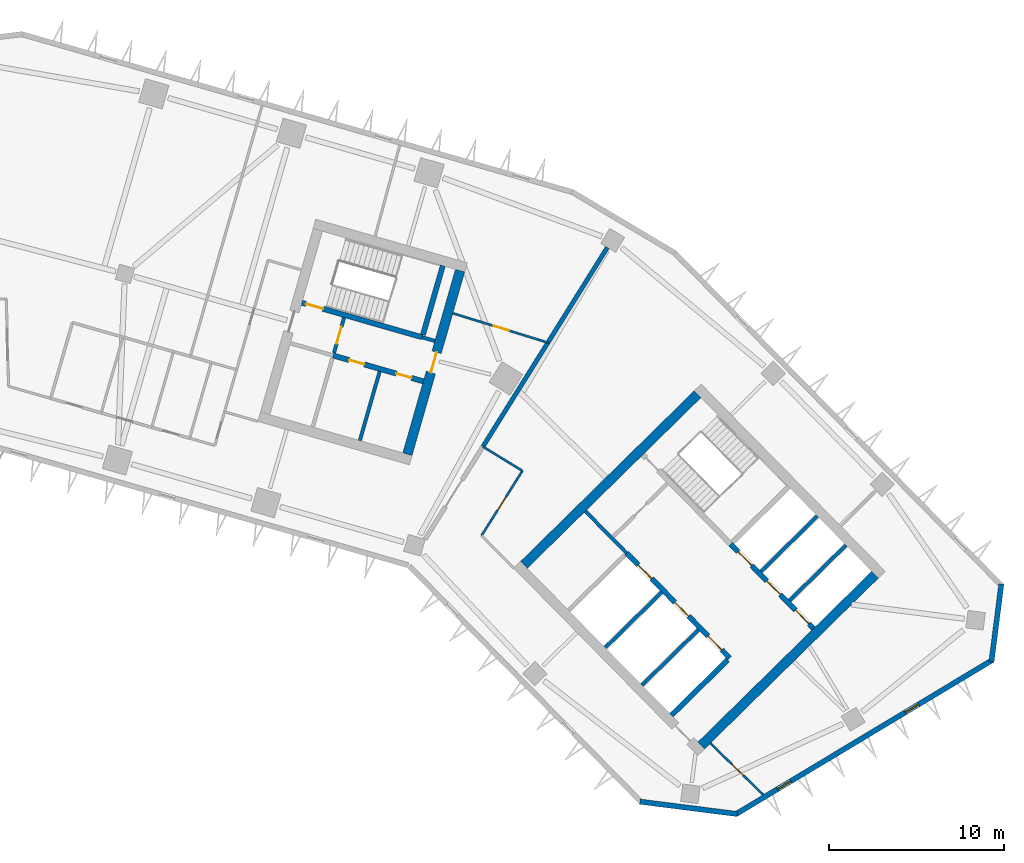
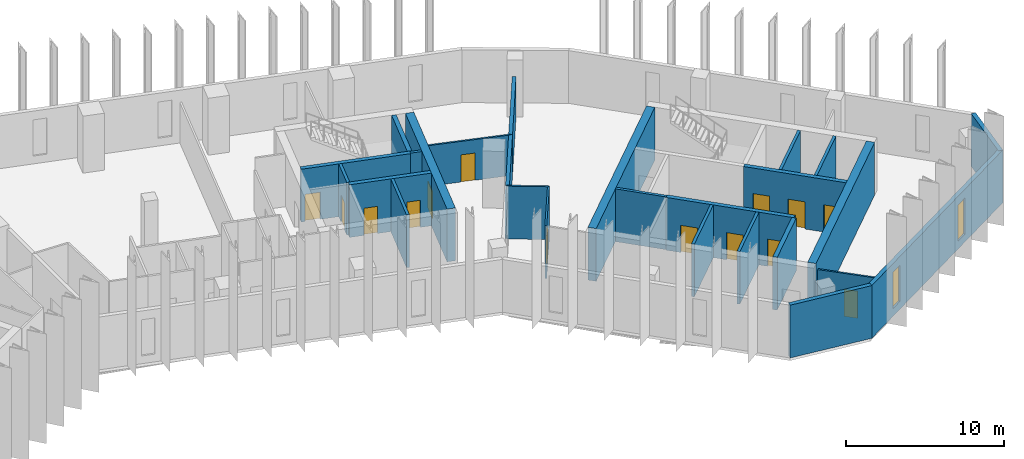
# One storey, part 6 of 11: 26 walls, 14 doors, 2 windows, 16 openings.
"""IFC4 building model written with IfcOpenShell, lengths in metres."""

from ifc_helpers import new_model, si_unit, direction, frame, frame_2d, origin, place, context, subcontext, project, spatial, rectangle, extrude, material, layer, layer_set, type_object, element, fill, save


model = new_model("IFC4")

# Units and contexts
model_context = context("Model", 3, precision=1e-05, world=origin(), true_north=direction((0.0, 1.0)))
body_context = subcontext(model_context, "Body", "Model", "MODEL_VIEW")
ifc_project = project(units=[si_unit("LENGTHUNIT", "METRE"), si_unit("AREAUNIT", "SQUARE_METRE"), si_unit("VOLUMEUNIT", "CUBIC_METRE"), si_unit("PLANEANGLEUNIT", "RADIAN"), si_unit("MASSUNIT", "GRAM", prefix="KILO")], contexts=[model_context])

# Site, building, storey
site_placement = place(None, origin())
site = spatial("IfcSite", under=ifc_project, at=site_placement, CompositionType="ELEMENT")
building_placement = place(site_placement, origin())
building = spatial("IfcBuilding", under=site, at=building_placement, Name="Binnacle Exchange Tower", CompositionType="ELEMENT")
storey_placement = place(building_placement, frame((0.0, 0.0, 97.10009765625)))
storey = spatial("IfcBuildingStorey", under=building, at=storey_placement, Name="L19", CompositionType="ELEMENT", Elevation=97.10009765625)

# Wall
ifc_material_1 = material(Name="Gypsum partition fire rated")
ifc_layer_1 = layer(ifc_material_1, 0.199951171875)
ifc_layer_set_1 = layer_set([ifc_layer_1], Name="Core partition 200")
wall_type_1 = type_object("IfcWallType", Name="Core partition 200", PredefinedType="PARTITIONING", material=ifc_layer_set_1)
wall_1_placement = place(storey_placement, frame((22.65087890625, 47.835205078125, 0.0), z_axis=(0.0, 0.0, 1.0), x_axis=(0.275625388668, 0.961265127383, 0.0)))
element("IfcWall", 1, at=wall_1_placement, inside=storey, type_object=wall_type_1, Name="Core wall CRWD10", PredefinedType="PARTITIONING", context=body_context, shape_type="SweptSolid", body=[
    extrude(rectangle(XDim=4.100341796875, YDim=0.199951171875, at=frame_2d((2.05029296875, 0.0))), origin(), (0.0, 0.0, 1.0), 4.079833984375),
])

# Wall, openings, doors
ifc_material_2 = material(Name="Concrete C70/85", Category="concrete")
ifc_layer_2 = layer(ifc_material_2, 0.300048828125)
ifc_layer_set_2 = layer_set([ifc_layer_2], Name="Core wall - front 300")
wall_type_2 = type_object("IfcWallType", Name="Core wall - front 300", PredefinedType="SOLIDWALL", material=ifc_layer_set_2)
wall_2_placement = place(storey_placement, frame((37.8740234375, 41.41552734375, 0.0), z_axis=(0.0, 0.0, 1.0), x_axis=(0.700918271237, -0.71324159795, 0.0)))
wall_2 = element("IfcWall", 2, at=wall_2_placement, inside=storey, type_object=wall_type_2, Name="Core wall CRWB3", PredefinedType="SOLIDWALL", context=body_context, shape_type="SweptSolid", body=[
    extrude(rectangle(XDim=8.39990234375, YDim=0.300048828125, at=frame_2d((4.199951171875, 0.0))), origin(), (0.0, 0.0, 1.0), 4.079833984375),
])
opening_1_placement = place(wall_2_placement, frame((0.949951171875, 0.0, 0.0)))
opening_1 = element("IfcOpeningElement", 3, at=opening_1_placement, cuts=wall_2, Name="Opening LD15", PredefinedType="OPENING", context=body_context, shape_type="SweptSolid", body=[
    extrude(rectangle(XDim=1.10009765625, YDim=2.10009765625, at=frame_2d((0.550048828125, 1.050048828125))), frame((0.0, 0.159912109375, 0.0), z_axis=(0.0, -1.0, 0.0), x_axis=(1.0, 0.0, 0.0)), (0.0, 0.0, 1.0), 0.320068359375),
])
opening_2_placement = place(wall_2_placement, frame((3.949951171875, 0.0, 0.0)))
opening_2 = element("IfcOpeningElement", 4, at=opening_2_placement, cuts=wall_2, Name="Opening LD16", PredefinedType="OPENING", context=body_context, shape_type="SweptSolid", body=[
    extrude(rectangle(XDim=1.10009765625, YDim=2.10009765625, at=frame_2d((0.550048828125, 1.050048828125))), frame((0.0, 0.159912109375, 0.0), z_axis=(0.0, -1.0, 0.0), x_axis=(1.0, 0.0, 0.0)), (0.0, 0.0, 1.0), 0.320068359375),
])
opening_3_placement = place(wall_2_placement, frame((6.64990234375, 0.0, 0.0)))
opening_3 = element("IfcOpeningElement", 5, at=opening_3_placement, cuts=wall_2, Name="Opening LD4", PredefinedType="OPENING", context=body_context, shape_type="SweptSolid", body=[
    extrude(rectangle(XDim=1.10009765625, YDim=2.10009765625, at=frame_2d((0.550048828125, 1.050048828125))), frame((0.0, 0.159912109375, 0.0), z_axis=(0.0, -1.0, 0.0), x_axis=(1.0, 0.0, 0.0)), (0.0, 0.0, 1.0), 0.320068359375),
])
ifc_material_3 = material(Name="Steel door leaf", Category="steel")
door_type_1 = type_object("IfcDoorType", Name="Fire door - lift landing 1100", OperationType="NOTDEFINED", PredefinedType="DOOR", material=ifc_material_3)
door_1_placement = place(opening_1_placement, origin())
door_1 = element("IfcDoor", 6, at=door_1_placement, inside=storey, type_object=door_type_1, Name="Landing door LD15 L19", OperationType="DOUBLE_DOOR_SLIDING", OverallHeight=2.10009765625, OverallWidth=1.10009765625, PredefinedType="DOOR", context=body_context, shape_type="SweptSolid", body=[
    extrude(rectangle(XDim=1.10009765625, YDim=2.10009765625, at=frame_2d((0.550048828125, 1.050048828125))), frame((0.0, 0.02490234375, 0.0), z_axis=(0.0, -1.0, 0.0), x_axis=(1.0, 0.0, 0.0)), (0.0, 0.0, 1.0), 0.050048828125),
])
fill(opening_1, door_1)
door_2_placement = place(opening_2_placement, origin())
door_2 = element("IfcDoor", 7, at=door_2_placement, inside=storey, type_object=door_type_1, Name="Landing door LD16 L19", OperationType="DOUBLE_DOOR_SLIDING", OverallHeight=2.10009765625, OverallWidth=1.10009765625, PredefinedType="DOOR", context=body_context, shape_type="SweptSolid", body=[
    extrude(rectangle(XDim=1.10009765625, YDim=2.10009765625, at=frame_2d((0.550048828125, 1.050048828125))), frame((0.0, 0.02490234375, 0.0), z_axis=(0.0, -1.0, 0.0), x_axis=(1.0, 0.0, 0.0)), (0.0, 0.0, 1.0), 0.050048828125),
])
fill(opening_2, door_2)
door_3_placement = place(opening_3_placement, origin())
door_3 = element("IfcDoor", 8, at=door_3_placement, inside=storey, type_object=door_type_1, Name="Landing door LD4 L19", OperationType="DOUBLE_DOOR_SLIDING", OverallHeight=2.10009765625, OverallWidth=1.10009765625, PredefinedType="DOOR", context=body_context, shape_type="SweptSolid", body=[
    extrude(rectangle(XDim=1.10009765625, YDim=2.10009765625, at=frame_2d((0.550048828125, 1.050048828125))), frame((0.0, 0.02490234375, 0.0), z_axis=(0.0, -1.0, 0.0), x_axis=(1.0, 0.0, 0.0)), (0.0, 0.0, 1.0), 0.050048828125),
])
fill(opening_3, door_3)

wall_3_placement = place(storey_placement, frame((43.818603515625, 41.92919921875, 0.0), z_axis=(0.0, 0.0, 1.0), x_axis=(0.700931209592, -0.713228882912, 0.0)))
wall_3 = element("IfcWall", 9, at=wall_3_placement, inside=storey, type_object=wall_type_2, Name="Core wall CRWB5", PredefinedType="SOLIDWALL", context=body_context, shape_type="SweptSolid", body=[
    extrude(rectangle(XDim=6.75, YDim=0.300048828125, at=frame_2d((3.375, 0.0))), origin(), (0.0, 0.0, 1.0), 4.079833984375),
])
opening_4_placement = place(wall_3_placement, frame((0.614990234375, 0.0, 0.0)))
opening_4 = element("IfcOpeningElement", 10, at=opening_4_placement, cuts=wall_3, Name="Opening LD1", PredefinedType="OPENING", context=body_context, shape_type="SweptSolid", body=[
    extrude(rectangle(XDim=1.10009765625, YDim=2.10009765625, at=frame_2d((0.550048828125, 1.050048828125))), frame((0.0, 0.159912109375, 0.0), z_axis=(0.0, -1.0, 0.0), x_axis=(1.0, 0.0, 0.0)), (0.0, 0.0, 1.0), 0.320068359375),
])
opening_5_placement = place(wall_3_placement, frame((2.945068359375, 0.0, 0.0)))
opening_5 = element("IfcOpeningElement", 11, at=opening_5_placement, cuts=wall_3, Name="Opening LD2", PredefinedType="OPENING", context=body_context, shape_type="SweptSolid", body=[
    extrude(rectangle(XDim=1.10009765625, YDim=2.10009765625, at=frame_2d((0.550048828125, 1.050048828125))), frame((0.0, 0.159912109375, 0.0), z_axis=(0.0, -1.0, 0.0), x_axis=(1.0, 0.0, 0.0)), (0.0, 0.0, 1.0), 0.320068359375),
])
opening_6_placement = place(wall_3_placement, frame((5.280029296875, 0.0, 0.0)))
opening_6 = element("IfcOpeningElement", 12, at=opening_6_placement, cuts=wall_3, Name="Opening LD3", PredefinedType="OPENING", context=body_context, shape_type="SweptSolid", body=[
    extrude(rectangle(XDim=1.10009765625, YDim=2.10009765625, at=frame_2d((0.550048828125, 1.050048828125))), frame((0.0, 0.159912109375, 0.0), z_axis=(0.0, -1.0, 0.0), x_axis=(1.0, 0.0, 0.0)), (0.0, 0.0, 1.0), 0.320068359375),
])
door_4_placement = place(opening_4_placement, origin())
door_4 = element("IfcDoor", 13, at=door_4_placement, inside=storey, type_object=door_type_1, Name="Landing door LD1 L19", OperationType="DOUBLE_DOOR_SLIDING", OverallHeight=2.10009765625, OverallWidth=1.10009765625, PredefinedType="DOOR", context=body_context, shape_type="SweptSolid", body=[
    extrude(rectangle(XDim=1.10009765625, YDim=2.10009765625, at=frame_2d((0.550048828125, 1.050048828125))), frame((0.0, 0.02490234375, 0.0), z_axis=(0.0, -1.0, 0.0), x_axis=(1.0, 0.0, 0.0)), (0.0, 0.0, 1.0), 0.050048828125),
])
fill(opening_4, door_4)
door_5_placement = place(opening_5_placement, origin())
door_5 = element("IfcDoor", 14, at=door_5_placement, inside=storey, type_object=door_type_1, Name="Landing door LD2 L19", OperationType="DOUBLE_DOOR_SLIDING", OverallHeight=2.10009765625, OverallWidth=1.10009765625, PredefinedType="DOOR", context=body_context, shape_type="SweptSolid", body=[
    extrude(rectangle(XDim=1.10009765625, YDim=2.10009765625, at=frame_2d((0.550048828125, 1.050048828125))), frame((0.0, 0.02490234375, 0.0), z_axis=(0.0, -1.0, 0.0), x_axis=(1.0, 0.0, 0.0)), (0.0, 0.0, 1.0), 0.050048828125),
])
fill(opening_5, door_5)
door_6_placement = place(opening_6_placement, origin())
door_6 = element("IfcDoor", 15, at=door_6_placement, inside=storey, type_object=door_type_1, Name="Landing door LD3 L19", OperationType="DOUBLE_DOOR_SLIDING", OverallHeight=2.10009765625, OverallWidth=1.10009765625, PredefinedType="DOOR", context=body_context, shape_type="SweptSolid", body=[
    extrude(rectangle(XDim=1.10009765625, YDim=2.10009765625, at=frame_2d((0.550048828125, 1.050048828125))), frame((0.0, 0.02490234375, 0.0), z_axis=(0.0, -1.0, 0.0), x_axis=(1.0, 0.0, 0.0)), (0.0, 0.0, 1.0), 0.050048828125),
])
fill(opening_6, door_6)

# Wall
wall_4_placement = place(storey_placement, frame((40.445068359375, 32.1650390625, 0.0), z_axis=(0.0, 0.0, 1.0), x_axis=(0.713264577552, 0.700894886848, 0.0)))
element("IfcWall", 16, at=wall_4_placement, inside=storey, type_object=wall_type_2, Name="Core wall CRWB14", PredefinedType="SOLIDWALL", context=body_context, shape_type="SweptSolid", body=[
    extrude(rectangle(XDim=4.5, YDim=0.300048828125, at=frame_2d((2.25, 0.0))), origin(), (0.0, 0.0, 1.0), 4.079833984375),
])

# Wall, openings, doors
wall_5_placement = place(storey_placement, frame((21.130859375, 52.6923828125, 0.0), z_axis=(0.0, 0.0, 1.0), x_axis=(0.961265220997, -0.27562506218, 0.0)))
wall_5 = element("IfcWall", 17, at=wall_5_placement, inside=storey, type_object=wall_type_2, Name="Core wall CRWD3", PredefinedType="SOLIDWALL", context=body_context, shape_type="SweptSolid", body=[
    extrude(rectangle(XDim=5.35009765625, YDim=0.300048828125, at=frame_2d((2.675048828125, 0.0))), origin(), (0.0, 0.0, 1.0), 4.079833984375),
])
opening_7_placement = place(wall_5_placement, frame((0.949951171875, 0.0, 0.0)))
opening_7 = element("IfcOpeningElement", 18, at=opening_7_placement, cuts=wall_5, Name="Opening DD10", PredefinedType="OPENING", context=body_context, shape_type="SweptSolid", body=[
    extrude(rectangle(XDim=0.89990234375, YDim=2.10009765625, at=frame_2d((0.449951171875, 1.050048828125))), frame((0.0, 0.159912109375, 0.0), z_axis=(0.0, -1.0, 0.0), x_axis=(1.0, 0.0, 0.0)), (0.0, 0.0, 1.0), 0.320068359375),
])
opening_8_placement = place(wall_5_placement, frame((3.75, 0.0, 0.0)))
opening_8 = element("IfcOpeningElement", 19, at=opening_8_placement, cuts=wall_5, Name="Opening DD11", PredefinedType="OPENING", context=body_context, shape_type="SweptSolid", body=[
    extrude(rectangle(XDim=0.89990234375, YDim=2.10009765625, at=frame_2d((0.449951171875, 1.050048828125))), frame((0.0, 0.159912109375, 0.0), z_axis=(0.0, -1.0, 0.0), x_axis=(1.0, 0.0, 0.0)), (0.0, 0.0, 1.0), 0.320068359375),
])
door_type_2 = type_object("IfcDoorType", Name="Fire door 900", OperationType="NOTDEFINED", PredefinedType="DOOR", material=ifc_material_3)
door_7_placement = place(opening_7_placement, frame((0.89990234375, 0.0, 0.0), z_axis=(0.0, 0.0, 1.0), x_axis=(-1.0, 0.0, 0.0)))
door_7 = element("IfcDoor", 20, at=door_7_placement, inside=storey, type_object=door_type_2, Name="Core room door IT STORE", OperationType="SINGLE_SWING_RIGHT", OverallHeight=2.10009765625, OverallWidth=0.89990234375, PredefinedType="DOOR", context=body_context, shape_type="SweptSolid", body=[
    extrude(rectangle(XDim=0.89990234375, YDim=2.10009765625, at=frame_2d((0.449951171875, 1.050048828125))), frame((0.0, 0.02490234375, 0.0), z_axis=(0.0, -1.0, 0.0), x_axis=(1.0, 0.0, 0.0)), (0.0, 0.0, 1.0), 0.050048828125),
])
fill(opening_7, door_7)
door_8_placement = place(opening_8_placement, frame((0.89990234375, 0.0, 0.0), z_axis=(0.0, 0.0, 1.0), x_axis=(-1.0, 0.0, 0.0)))
door_8 = element("IfcDoor", 21, at=door_8_placement, inside=storey, type_object=door_type_2, Name="Core room door UPS CUPBOARD", OperationType="SINGLE_SWING_LEFT", OverallHeight=2.10009765625, OverallWidth=0.89990234375, PredefinedType="DOOR", context=body_context, shape_type="SweptSolid", body=[
    extrude(rectangle(XDim=0.89990234375, YDim=2.10009765625, at=frame_2d((0.449951171875, 1.050048828125))), frame((0.0, 0.02490234375, 0.0), z_axis=(0.0, -1.0, 0.0), x_axis=(1.0, 0.0, 0.0)), (0.0, 0.0, 1.0), 0.050048828125),
])
fill(opening_8, door_8)

# Walls
ifc_layer_3 = layer(ifc_material_2, 0.550048828125)
ifc_layer_set_3 = layer_set([ifc_layer_3], Name="Core wall - outer 550")
wall_type_3 = type_object("IfcWallType", Name="Core wall - outer 550", PredefinedType="SOLIDWALL", material=ifc_layer_set_3)
for number, where, z_axis, x_axis, name in (
    (22, (32.0166015625, 40.74169921875, 0.0), (0.0, 0.0, 1.0), (0.713253550094, 0.700906108746, 0.0), "Core wall CRWB7"),
    (23, (42.144775390625, 30.435302734375, 0.0), (0.0, 0.0, 1.0), (0.713253550094, 0.700906108746, 0.0), "Core wall CRWB16"),
):
    element("IfcWall", number, at=place(storey_placement, frame(where, z_axis=z_axis, x_axis=x_axis)), inside=storey, type_object=wall_type_3, Name=name, PredefinedType="SOLIDWALL", context=body_context, shape_type="SweptSolid", body=[
        extrude(rectangle(XDim=13.900146484375, YDim=0.550048828125, at=frame_2d((6.9501953125, 0.0))), origin(), (0.0, 0.0, 1.0), 4.079833984375),
    ])

# Wall, opening, door
wall_6_placement = place(storey_placement, frame((25.366455078125, 47.056640625, 0.0), z_axis=(0.0, 0.0, 1.0), x_axis=(0.275632146085, 0.96126318979, 0.0)))
wall_6 = element("IfcWall", 24, at=wall_6_placement, inside=storey, type_object=wall_type_3, Name="Core wall CRWD12", PredefinedType="SOLIDWALL", context=body_context, shape_type="SweptSolid", body=[
    extrude(rectangle(XDim=10.89990234375, YDim=0.550048828125, at=frame_2d((5.449951171875, 0.0))), origin(), (0.0, 0.0, 1.0), 4.079833984375),
])
opening_9_placement = place(wall_6_placement, frame((4.849853515625, 0.0, 0.0)))
opening_9 = element("IfcOpeningElement", 25, at=opening_9_placement, cuts=wall_6, Name="Opening DD6", PredefinedType="OPENING", context=body_context, shape_type="SweptSolid", body=[
    extrude(rectangle(XDim=1.199951171875, YDim=2.10009765625, at=frame_2d((0.60009765625, 1.050048828125))), frame((0.0, 0.284912109375, 0.0), z_axis=(0.0, -1.0, 0.0), x_axis=(1.0, 0.0, 0.0)), (0.0, 0.0, 1.0), 0.570068359375),
])
door_type_3 = type_object("IfcDoorType", Name="Fire door 1200", OperationType="NOTDEFINED", PredefinedType="DOOR", material=ifc_material_3)
door_9_placement = place(opening_9_placement, frame((1.199951171875, 0.0, 0.0), z_axis=(0.0, 0.0, 1.0), x_axis=(-1.0, 0.0, 0.0)))
door_9 = element("IfcDoor", 26, at=door_9_placement, inside=storey, type_object=door_type_3, Name="Core passage exit door", OperationType="SINGLE_SWING_RIGHT", OverallHeight=2.10009765625, OverallWidth=1.199951171875, PredefinedType="DOOR", context=body_context, shape_type="SweptSolid", body=[
    extrude(rectangle(XDim=1.199951171875, YDim=2.10009765625, at=frame_2d((0.60009765625, 1.050048828125))), frame((0.0, 0.02490234375, 0.0), z_axis=(0.0, -1.0, 0.0), x_axis=(1.0, 0.0, 0.0)), (0.0, 0.0, 1.0), 0.050048828125),
])
fill(opening_9, door_9)

ifc_layer_4 = layer(ifc_material_2, 0.300048828125)
ifc_layer_set_4 = layer_set([ifc_layer_4], Name="Core wall - stair 300")
wall_type_4 = type_object("IfcWallType", Name="Core wall - stair 300", PredefinedType="SOLIDWALL", material=ifc_layer_set_4)
wall_7_placement = place(storey_placement, frame((19.34130859375, 55.702392578125, 0.0), z_axis=(0.0, 0.0, 1.0), x_axis=(0.961263228157, -0.27563201228, 0.0)))
wall_7 = element("IfcWall", 27, at=wall_7_placement, inside=storey, type_object=wall_type_4, Name="Core wall CRWD4", PredefinedType="SOLIDWALL", context=body_context, shape_type="SweptSolid", body=[
    extrude(rectangle(XDim=7.149658203125, YDim=0.300048828125, at=frame_2d((3.57470703125, 0.0))), origin(), (0.0, 0.0, 1.0), 4.079833984375),
])
opening_10_placement = place(wall_7_placement, frame((0.25, 0.0, 0.0)))
opening_10 = element("IfcOpeningElement", 28, at=opening_10_placement, cuts=wall_7, Name="Opening DD1", PredefinedType="OPENING", context=body_context, shape_type="SweptSolid", body=[
    extrude(rectangle(XDim=1.0, YDim=2.10009765625, at=frame_2d((0.5, 1.050048828125))), frame((0.0, 0.159912109375, 0.0), z_axis=(0.0, -1.0, 0.0), x_axis=(1.0, 0.0, 0.0)), (0.0, 0.0, 1.0), 0.320068359375),
])
door_type_4 = type_object("IfcDoorType", Name="Fire door 1000", OperationType="NOTDEFINED", PredefinedType="DOOR", material=ifc_material_3)
door_10_placement = place(opening_10_placement, origin())
door_10 = element("IfcDoor", 29, at=door_10_placement, inside=storey, type_object=door_type_4, Name="Stair door ST-D1", OperationType="SINGLE_SWING_LEFT", OverallHeight=2.10009765625, OverallWidth=1.0, PredefinedType="DOOR", context=body_context, shape_type="SweptSolid", body=[
    extrude(rectangle(XDim=1.0, YDim=2.10009765625, at=frame_2d((0.5, 1.050048828125))), frame((0.0, 0.02490234375, 0.0), z_axis=(0.0, -1.0, 0.0), x_axis=(1.0, 0.0, 0.0)), (0.0, 0.0, 1.0), 0.050048828125),
])
fill(opening_10, door_10)

# Walls
wall_8_placement = place(storey_placement, frame((26.255615234375, 53.875732421875, 0.0), z_axis=(0.0, 0.0, 1.0), x_axis=(0.275641165445, 0.961260603537, 0.0)))
element("IfcWall", 30, at=wall_8_placement, inside=storey, type_object=wall_type_4, Name="Core wall CRWD11", PredefinedType="SOLIDWALL", context=body_context, shape_type="SweptSolid", body=[
    extrude(rectangle(XDim=4.10009765625, YDim=0.300048828125, at=frame_2d((2.050048828125, 0.0))), origin(), (0.0, 0.0, 1.0), 4.079833984375),
])
ifc_material_4 = material(Name="Bronze aluminium cladding", Category="aluminium")
ifc_layer_5 = layer(ifc_material_4, 0.300048828125)
ifc_layer_set_5 = layer_set([ifc_layer_5], Name="External wall - spandrel 300")
wall_type_5 = type_object("IfcWallType", Name="External wall - spandrel 300", PredefinedType="STANDARD", material=ifc_layer_set_5)
wall_9_placement = place(storey_placement, frame((44.19580078125, 26.517822265625, 0.0), z_axis=(0.0, 0.0, 1.0), x_axis=(-0.992001881269, 0.126223086474, 0.0)))
element("IfcWall", 31, at=wall_9_placement, inside=storey, type_object=wall_type_5, Name="External wall EW-F10 L19", PredefinedType="STANDARD", context=body_context, shape_type="SweptSolid", body=[
    extrude(rectangle(XDim=5.6015625, YDim=0.300048828125, at=frame_2d((2.80078125, 0.0))), origin(), (0.0, 0.0, 1.0), 4.079833984375),
])

# Wall, openings, windows
wall_10_placement = place(storey_placement, frame((58.7783203125, 35.317626953125, 0.0), z_axis=(0.0, 0.0, 1.0), x_axis=(-0.857168206138, -0.515036568009, 0.0)))
wall_10 = element("IfcWall", 32, at=wall_10_placement, inside=storey, type_object=wall_type_5, Name="External wall EW-F11 L19", PredefinedType="STANDARD", context=body_context, shape_type="SweptSolid", body=[
    extrude(rectangle(XDim=17.124755859375, YDim=0.300048828125, at=frame_2d((8.5625, 0.0))), origin(), (0.0, 0.0, 1.0), 4.079833984375),
])
opening_11_placement = place(wall_10_placement, frame((13.435302734375, 0.0, 0.60009765625)))
opening_11 = element("IfcOpeningElement", 33, at=opening_11_placement, cuts=wall_10, Name="Opening WS2", PredefinedType="OPENING", context=body_context, shape_type="SweptSolid", body=[
    extrude(rectangle(XDim=0.89990234375, YDim=2.800048828125, at=frame_2d((0.449951171875, 1.39990234375))), frame((0.0, 0.159912109375, 0.0), z_axis=(0.0, -1.0, 0.0), x_axis=(1.0, 0.0, 0.0)), (0.0, 0.0, 1.0), 0.320068359375),
])
opening_12_placement = place(wall_10_placement, frame((4.935302734375, 0.0, 0.60009765625)))
opening_12 = element("IfcOpeningElement", 34, at=opening_12_placement, cuts=wall_10, Name="Opening WS2", PredefinedType="OPENING", context=body_context, shape_type="SweptSolid", body=[
    extrude(rectangle(XDim=0.89990234375, YDim=2.800048828125, at=frame_2d((0.449951171875, 1.39990234375))), frame((0.0, 0.159912109375, 0.0), z_axis=(0.0, -1.0, 0.0), x_axis=(1.0, 0.0, 0.0)), (0.0, 0.0, 1.0), 0.320068359375),
])
ifc_material_5 = material(Name="Bronze anodised aluminium frame", Category="aluminium")
window_type = type_object("IfcWindowType", Name="WS2 WINDOW 900x2800", PartitioningType="SINGLE_PANEL", PredefinedType="WINDOW", material=ifc_material_5)
window_1_placement = place(opening_11_placement, origin())
window_1 = element("IfcWindow", 35, at=window_1_placement, inside=storey, type_object=window_type, Name="Window WS2 L19", OverallHeight=2.800048828125, OverallWidth=0.89990234375, PartitioningType="SINGLE_PANEL", PredefinedType="WINDOW", context=body_context, shape_type="SweptSolid", body=[
    extrude(rectangle(XDim=0.89990234375, YDim=2.800048828125, at=frame_2d((0.449951171875, 1.39990234375))), frame((0.0, 0.030029296875, 0.0), z_axis=(0.0, -1.0, 0.0), x_axis=(1.0, 0.0, 0.0)), (0.0, 0.0, 1.0), 0.06005859375),
])
fill(opening_11, window_1)
window_2_placement = place(opening_12_placement, origin())
window_2 = element("IfcWindow", 36, at=window_2_placement, inside=storey, type_object=window_type, Name="Window WS2 L19", OverallHeight=2.800048828125, OverallWidth=0.89990234375, PartitioningType="SINGLE_PANEL", PredefinedType="WINDOW", context=body_context, shape_type="SweptSolid", body=[
    extrude(rectangle(XDim=0.89990234375, YDim=2.800048828125, at=frame_2d((0.449951171875, 1.39990234375))), frame((0.0, 0.030029296875, 0.0), z_axis=(0.0, -1.0, 0.0), x_axis=(1.0, 0.0, 0.0)), (0.0, 0.0, 1.0), 0.06005859375),
])
fill(opening_12, window_2)

# Walls
wall_11_placement = place(storey_placement, frame((59.27197265625, 39.6513671875, 0.0), z_axis=(0.0, 0.0, 1.0), x_axis=(-0.126181137886, -0.992007217938, 0.0)))
element("IfcWall", 37, at=wall_11_placement, inside=storey, type_object=wall_type_5, Name="External wall EW-F12 L19", PredefinedType="STANDARD", context=body_context, shape_type="SweptSolid", body=[
    extrude(rectangle(XDim=4.479248046875, YDim=0.300048828125, at=frame_2d((2.23974609375, 0.0))), origin(), (0.0, 0.0, 1.0), 4.079833984375),
])
ifc_material_6 = material(Name="Concrete fire wall C30/37", Category="concrete")
ifc_layer_6 = layer(ifc_material_6, 0.25)
ifc_layer_set_6 = layer_set([ifc_layer_6], Name="Fire wall - compartment 250")
wall_type_6 = type_object("IfcWallType", Name="Fire wall - compartment 250", PredefinedType="PARTITIONING", material=ifc_layer_set_6)
wall_12_placement = place(storey_placement, frame((29.675048828125, 47.490966796875, 0.0), z_axis=(0.0, 0.0, 1.0), x_axis=(0.529992669945, 0.848002222759, 0.0)))
element("IfcWall", 38, at=wall_12_placement, inside=storey, type_object=wall_type_6, Name="Fire Wall W41", PredefinedType="PARTITIONING", context=body_context, shape_type="SweptSolid", body=[
    extrude(rectangle(XDim=7.0, YDim=0.25, at=frame_2d((3.5, 0.0))), origin(), (0.0, 0.0, 1.0), 3.141845703125),
])
wall_13_placement = place(storey_placement, frame((33.385009765625, 53.427001953125, 0.0), z_axis=(0.0, 0.0, 1.0), x_axis=(0.52989620904, 0.848062502204, 0.0)))
element("IfcWall", 39, at=wall_13_placement, inside=storey, type_object=wall_type_6, Name="Fire Wall W42", PredefinedType="PARTITIONING", context=body_context, shape_type="SweptSolid", body=[
    extrude(rectangle(XDim=6.40869140625, YDim=0.25, at=frame_2d((3.204345703125, 0.0))), origin(), (0.0, 0.0, 1.0), 3.141845703125),
])

# Wall, opening, door
ifc_material_7 = material(Name="Masonry block wall", Category="masonry")
ifc_layer_7 = layer(ifc_material_7, 0.199951171875)
ifc_layer_set_7 = layer_set([ifc_layer_7], Name="Fire wall - vestibule 200")
wall_type_7 = type_object("IfcWallType", Name="Fire wall - vestibule 200", PredefinedType="PARTITIONING", material=ifc_layer_set_7)
wall_14_placement = place(storey_placement, frame((21.172119140625, 52.836669921875, 0.0), z_axis=(0.0, 0.0, 1.0), x_axis=(0.275657676022, 0.961255868981, 0.0)))
wall_14 = element("IfcWall", 40, at=wall_14_placement, inside=storey, type_object=wall_type_7, Name="Core wall CRWD9", PredefinedType="PARTITIONING", context=body_context, shape_type="SweptSolid", body=[
    extrude(rectangle(XDim=2.099853515625, YDim=0.199951171875, at=frame_2d((1.0498046875, 0.0))), origin(), (0.0, 0.0, 1.0), 4.079833984375),
])
opening_13_placement = place(wall_14_placement, frame((0.550048828125, 0.0, 0.0)))
opening_13 = element("IfcOpeningElement", 41, at=opening_13_placement, cuts=wall_14, Name="Opening DD3", PredefinedType="OPENING", context=body_context, shape_type="SweptSolid", body=[
    extrude(rectangle(XDim=1.0, YDim=2.10009765625, at=frame_2d((0.5, 1.050048828125))), frame((0.0, 0.10986328125, 0.0), z_axis=(0.0, -1.0, 0.0), x_axis=(1.0, 0.0, 0.0)), (0.0, 0.0, 1.0), 0.219970703125),
])
door_11_placement = place(opening_13_placement, origin())
door_11 = element("IfcDoor", 42, at=door_11_placement, inside=storey, type_object=door_type_4, Name="Vestibule door VEST-W", OperationType="SINGLE_SWING_RIGHT", OverallHeight=2.10009765625, OverallWidth=1.0, PredefinedType="DOOR", context=body_context, shape_type="SweptSolid", body=[
    extrude(rectangle(XDim=1.0, YDim=2.10009765625, at=frame_2d((0.5, 1.050048828125))), frame((0.0, 0.02490234375, 0.0), z_axis=(0.0, -1.0, 0.0), x_axis=(1.0, 0.0, 0.0)), (0.0, 0.0, 1.0), 0.050048828125),
])
fill(opening_13, door_11)

ifc_material_8 = material(Name="Gypsum partition")
ifc_layer_8 = layer(ifc_material_8, 0.125)
ifc_layer_set_8 = layer_set([ifc_layer_8], Name="Partition 125")
wall_type_8 = type_object("IfcWallType", Name="Partition 125", PredefinedType="PARTITIONING", material=ifc_layer_set_8)
wall_15_placement = place(storey_placement, frame((27.9599609375, 55.10302734375, 0.0), z_axis=(0.0, 0.0, 1.0), x_axis=(0.955442775069, -0.29517639399, 0.0)))
wall_15 = element("IfcWall", 43, at=wall_15_placement, inside=storey, type_object=wall_type_8, Name="Partition W37", PredefinedType="PARTITIONING", context=body_context, shape_type="SweptSolid", body=[
    extrude(rectangle(XDim=5.677978515625, YDim=0.125, at=frame_2d((2.8388671875, 0.0))), origin(), (0.0, 0.0, 1.0), 3.141845703125),
])
opening_14_placement = place(wall_15_placement, frame((2.449951171875, 0.0, 0.0)))
opening_14 = element("IfcOpeningElement", 44, at=opening_14_placement, cuts=wall_15, Name="Opening DL19-10", PredefinedType="OPENING", context=body_context, shape_type="SweptSolid", body=[
    extrude(rectangle(XDim=0.89990234375, YDim=2.10009765625, at=frame_2d((0.449951171875, 1.050048828125))), frame((0.0, 0.072509765625, 0.0), z_axis=(0.0, -1.0, 0.0), x_axis=(1.0, 0.0, 0.0)), (0.0, 0.0, 1.0), 0.14501953125),
])
ifc_material_9 = material(Name="Timber door leaf", Category="wood")
door_type_5 = type_object("IfcDoorType", Name="Door 900", OperationType="NOTDEFINED", PredefinedType="DOOR", material=ifc_material_9)
door_12_placement = place(opening_14_placement, origin())
door_12 = element("IfcDoor", 45, at=door_12_placement, inside=storey, type_object=door_type_5, Name="Door DL19-10", OperationType="SINGLE_SWING_RIGHT", OverallHeight=2.10009765625, OverallWidth=0.89990234375, PredefinedType="DOOR", context=body_context, shape_type="SweptSolid", body=[
    extrude(rectangle(XDim=0.89990234375, YDim=2.10009765625, at=frame_2d((0.449951171875, 1.050048828125))), frame((0.0, 0.02490234375, 0.0), z_axis=(0.0, -1.0, 0.0), x_axis=(1.0, 0.0, 0.0)), (0.0, 0.0, 1.0), 0.050048828125),
])
fill(opening_14, door_12)

wall_16_placement = place(storey_placement, frame((29.60009765625, 42.416015625, 0.0), z_axis=(0.0, 0.0, 1.0), x_axis=(0.533582711531, 0.84574788794, 0.0)))
wall_16 = element("IfcWall", 46, at=wall_16_placement, inside=storey, type_object=wall_type_8, Name="Partition W39", PredefinedType="PARTITIONING", context=body_context, shape_type="SweptSolid", body=[
    extrude(rectangle(XDim=4.366455078125, YDim=0.125, at=frame_2d((2.18310546875, 0.0))), origin(), (0.0, 0.0, 1.0), 4.079833984375),
])
opening_15_placement = place(wall_16_placement, frame((1.699951171875, 0.0, 0.0)))
opening_15 = element("IfcOpeningElement", 47, at=opening_15_placement, cuts=wall_16, Name="Opening DL19-11", PredefinedType="OPENING", context=body_context, shape_type="SweptSolid", body=[
    extrude(rectangle(XDim=0.89990234375, YDim=2.10009765625, at=frame_2d((0.449951171875, 1.050048828125))), frame((0.0, 0.072509765625, 0.0), z_axis=(0.0, -1.0, 0.0), x_axis=(1.0, 0.0, 0.0)), (0.0, 0.0, 1.0), 0.14501953125),
])
door_13_placement = place(opening_15_placement, frame((0.89990234375, 0.0, 0.0), z_axis=(0.0, 0.0, 1.0), x_axis=(-1.0, 0.0, 0.0)))
door_13 = element("IfcDoor", 48, at=door_13_placement, inside=storey, type_object=door_type_5, Name="Door DL19-11", OperationType="SINGLE_SWING_RIGHT", OverallHeight=2.10009765625, OverallWidth=0.89990234375, PredefinedType="DOOR", context=body_context, shape_type="SweptSolid", body=[
    extrude(rectangle(XDim=0.89990234375, YDim=2.10009765625, at=frame_2d((0.449951171875, 1.050048828125))), frame((0.0, 0.02490234375, 0.0), z_axis=(0.0, -1.0, 0.0), x_axis=(1.0, 0.0, 0.0)), (0.0, 0.0, 1.0), 0.050048828125),
])
fill(opening_15, door_13)

# Wall
wall_17_placement = place(storey_placement, frame((29.675048828125, 47.490966796875, 0.0), z_axis=(0.0, 0.0, 1.0), x_axis=(0.852591965232, -0.522577210392, 0.0)))
element("IfcWall", 49, at=wall_17_placement, inside=storey, type_object=wall_type_8, Name="Partition W40", PredefinedType="PARTITIONING", context=body_context, shape_type="SweptSolid", body=[
    extrude(rectangle(XDim=2.644775390625, YDim=0.125, at=frame_2d((1.322265625, 0.0))), origin(), (0.0, 0.0, 1.0), 4.079833984375),
])

# Wall, opening, door
wall_18_placement = place(storey_placement, frame((42.658935546875, 30.554931640625, 0.0), z_axis=(0.0, 0.0, 1.0), x_axis=(0.716925671772, -0.697149611743, 0.0)))
wall_18 = element("IfcWall", 50, at=wall_18_placement, inside=storey, type_object=wall_type_8, Name="Partition W43", PredefinedType="PARTITIONING", context=body_context, shape_type="SweptSolid", body=[
    extrude(rectangle(XDim=4.209716796875, YDim=0.125, at=frame_2d((2.10498046875, 0.0))), origin(), (0.0, 0.0, 1.0), 3.351806640625),
])
opening_16_placement = place(wall_18_placement, frame((1.699951171875, 0.0, 0.0)))
opening_16 = element("IfcOpeningElement", 51, at=opening_16_placement, cuts=wall_18, Name="Opening DL19-12", PredefinedType="OPENING", context=body_context, shape_type="SweptSolid", body=[
    extrude(rectangle(XDim=0.89990234375, YDim=2.10009765625, at=frame_2d((0.449951171875, 1.050048828125))), frame((0.0, 0.072509765625, 0.0), z_axis=(0.0, -1.0, 0.0), x_axis=(1.0, 0.0, 0.0)), (0.0, 0.0, 1.0), 0.14501953125),
])
door_14_placement = place(opening_16_placement, origin())
door_14 = element("IfcDoor", 52, at=door_14_placement, inside=storey, type_object=door_type_5, Name="Door DL19-12", OperationType="SINGLE_SWING_RIGHT", OverallHeight=2.10009765625, OverallWidth=0.89990234375, PredefinedType="DOOR", context=body_context, shape_type="SweptSolid", body=[
    extrude(rectangle(XDim=0.89990234375, YDim=2.10009765625, at=frame_2d((0.449951171875, 1.050048828125))), frame((0.0, 0.02490234375, 0.0), z_axis=(0.0, -1.0, 0.0), x_axis=(1.0, 0.0, 0.0)), (0.0, 0.0, 1.0), 0.050048828125),
])
fill(opening_16, door_14)

# Walls
ifc_layer_9 = layer(ifc_material_7, 0.199951171875)
ifc_layer_set_9 = layer_set([ifc_layer_9], Name="Riser wall 200")
wall_type_9 = type_object("IfcWallType", Name="Riser wall 200", PredefinedType="SOLIDWALL", material=ifc_layer_set_9)
wall_19_placement = place(storey_placement, frame((35.526123046875, 43.804931640625, 0.0), z_axis=(0.0, 0.0, 1.0), x_axis=(0.700884863746, -0.713274426691, 0.0)))
element("IfcWall", 53, at=wall_19_placement, inside=storey, type_object=wall_type_9, Name="Core wall CRWB2", PredefinedType="SOLIDWALL", context=body_context, shape_type="SweptSolid", body=[
    extrude(rectangle(XDim=3.349853515625, YDim=0.199951171875, at=frame_2d((1.6748046875, 0.0))), origin(), (0.0, 0.0, 1.0), 4.079833984375),
])
wall_20_placement = place(storey_placement, frame((26.214111328125, 53.731689453125, 0.0), z_axis=(0.0, 0.0, 1.0), x_axis=(0.961240918172, -0.275709806194, 0.0)))
element("IfcWall", 54, at=wall_20_placement, inside=storey, type_object=wall_type_9, Name="Core wall CRWD5", PredefinedType="SOLIDWALL", context=body_context, shape_type="SweptSolid", body=[
    extrude(rectangle(XDim=0.75, YDim=0.199951171875, at=frame_2d((0.375, 0.0))), origin(), (0.0, 0.0, 1.0), 4.079833984375),
])
ifc_layer_10 = layer(ifc_material_7, 0.199951171875)
ifc_layer_set_10 = layer_set([ifc_layer_10], Name="Shaft wall 200")
wall_type_10 = type_object("IfcWallType", Name="Shaft wall 200", PredefinedType="SOLIDWALL", material=ifc_layer_set_10)
wall_21_placement = place(storey_placement, frame((36.66015625, 36.0166015625, 0.0), z_axis=(0.0, 0.0, 1.0), x_axis=(0.713264577552, 0.700894886848, 0.0)))
element("IfcWall", 55, at=wall_21_placement, inside=storey, type_object=wall_type_10, Name="Core wall CRWB10", PredefinedType="SOLIDWALL", context=body_context, shape_type="SweptSolid", body=[
    extrude(rectangle(XDim=4.5, YDim=0.199951171875, at=frame_2d((2.25, 0.0))), origin(), (0.0, 0.0, 1.0), 4.079833984375),
])
wall_22_placement = place(storey_placement, frame((38.762939453125, 33.876708984375, 0.0), z_axis=(0.0, 0.0, 1.0), x_axis=(0.713237455685, 0.700922486305, 0.0)))
element("IfcWall", 56, at=wall_22_placement, inside=storey, type_object=wall_type_10, Name="Core wall CRWB12", PredefinedType="SOLIDWALL", context=body_context, shape_type="SweptSolid", body=[
    extrude(rectangle(XDim=4.500244140625, YDim=0.199951171875, at=frame_2d((2.25, 0.0))), origin(), (0.0, 0.0, 1.0), 4.079833984375),
])
for number, where, z_axis, x_axis, name in (
    (57, (45.55859375, 40.37255859375, 0.0), (0.0, 0.0, 1.0), (0.713264577552, 0.700894886848, 0.0), "Core wall CRWB13"),
    (58, (47.191650390625, 38.710693359375, 0.0), (0.0, 0.0, 1.0), (0.713264577552, 0.700894886848, 0.0), "Core wall CRWB15"),
):
    element("IfcWall", number, at=place(storey_placement, frame(where, z_axis=z_axis, x_axis=x_axis)), inside=storey, type_object=wall_type_10, Name=name, PredefinedType="SOLIDWALL", context=body_context, shape_type="SweptSolid", body=[
        extrude(rectangle(XDim=4.5, YDim=0.199951171875, at=frame_2d((2.25, 0.0))), origin(), (0.0, 0.0, 1.0), 4.079833984375),
    ])

save(model, "model.ifc")
